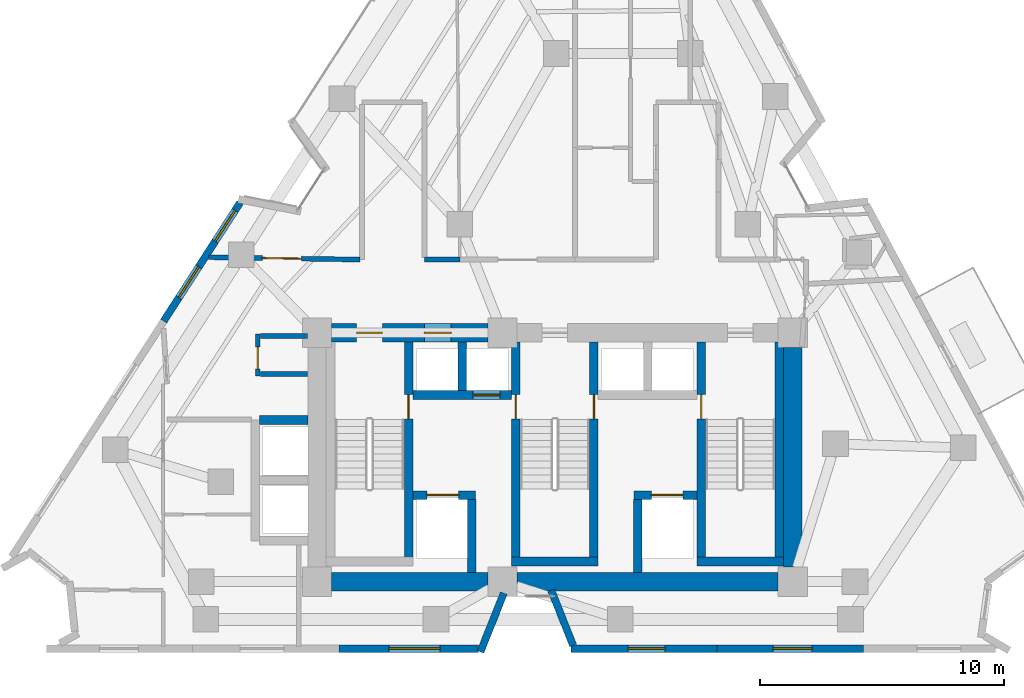
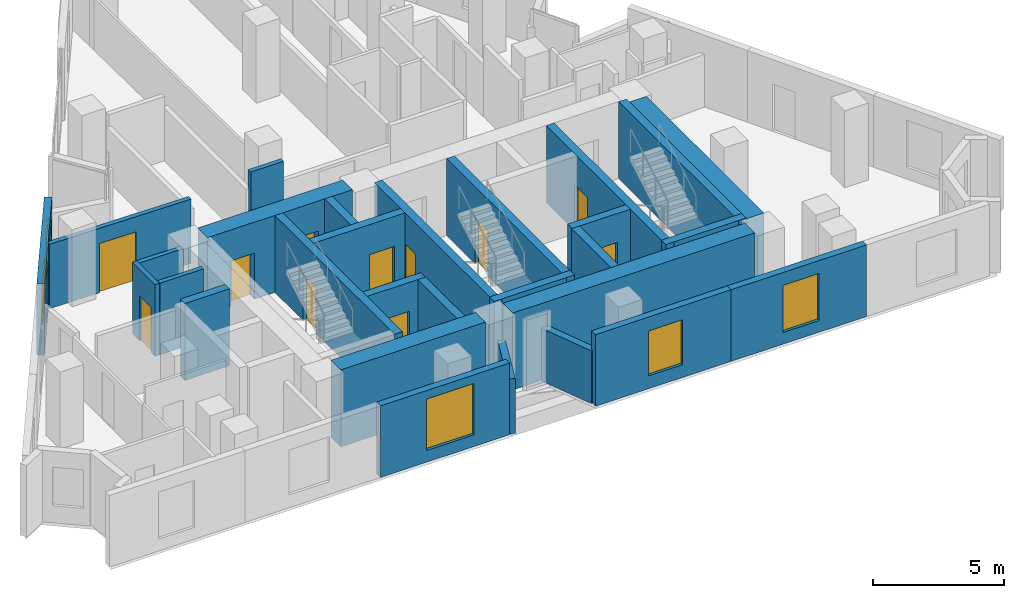
# One storey, part 6 of 12: 29 walls, 11 doors, 5 windows, 16 openings.
"""IFC4 building model written with IfcOpenShell, lengths in metres."""

from ifc_helpers import new_model, si_unit, direction, frame, frame_2d, origin, place, context, subcontext, project, spatial, rectangle, extrude, material, layer, layer_set, type_object, element, fill, save


model = new_model("IFC4")

# Units and contexts
model_context = context("Model", 3, precision=1e-05, world=origin(), true_north=direction((0.0, 1.0)))
body_context = subcontext(model_context, "Body", "Model", "MODEL_VIEW")
ifc_project = project(units=[si_unit("LENGTHUNIT", "METRE"), si_unit("AREAUNIT", "SQUARE_METRE"), si_unit("VOLUMEUNIT", "CUBIC_METRE"), si_unit("PLANEANGLEUNIT", "RADIAN"), si_unit("MASSUNIT", "GRAM", prefix="KILO")], contexts=[model_context])

# Site, building, storey
site_placement = place(None, origin())
site = spatial("IfcSite", under=ifc_project, at=site_placement, CompositionType="ELEMENT")
building_placement = place(site_placement, origin())
building = spatial("IfcBuilding", under=site, at=building_placement, Name="Almagre Mirador Tower", CompositionType="ELEMENT")
storey_placement = place(building_placement, frame((0.0, 0.0, 182.39990234375)))
storey = spatial("IfcBuildingStorey", under=building, at=storey_placement, Name="L47", CompositionType="ELEMENT", Elevation=182.39990234375)

# Wall, opening, window
ifc_material_1 = material(Name="Precast concrete C50/60", Category="concrete")
ifc_layer_1 = layer(ifc_material_1, 0.300048828125)
ifc_layer_set_1 = layer_set([ifc_layer_1], Name="Precast concrete C50/60")
wall_type_1 = type_object("IfcWallType", Name="WAL-EXT-300", PredefinedType="SOLIDWALL", material=ifc_layer_set_1)
wall_1_placement = place(storey_placement, frame((49.94677734375, 1.800048828125, 0.0), z_axis=(0.0, 0.0, 1.0), x_axis=(-1.0, 0.0, 0.0)))
wall_1 = element("IfcWall", 1, at=wall_1_placement, inside=storey, type_object=wall_type_1, Name="L47 expressed almagre precast frame wall 22", PredefinedType="SOLIDWALL", context=body_context, shape_type="SweptSolid", body=[
    extrude(rectangle(XDim=5.993408203125, YDim=0.300048828125, at=frame_2d((2.99658203125, 0.0))), origin(), (0.0, 0.0, 1.0), 3.35009765625),
])
opening_1_placement = place(wall_1_placement, frame((2.10009765625, 0.0, 0.550048828125)))
opening_1 = element("IfcOpeningElement", 2, at=opening_1_placement, cuts=wall_1, Name="Opening WN-06", PredefinedType="OPENING", context=body_context, shape_type="SweptSolid", body=[
    extrude(rectangle(XDim=1.60009765625, YDim=2.199951171875, at=frame_2d((0.800048828125, 1.10009765625))), frame((0.0, 0.159902, 0.0), z_axis=(0.0, -1.0, 0.0), x_axis=(1.0, 0.0, 0.0)), (0.0, 0.0, 1.0), 0.320049),
])
ifc_material_2 = material(Name="Dark solar-control laminated hurricane glass", Category="glass")
window_type_1 = type_object("IfcWindowType", Name="WIN-1600X2200", PartitioningType="DOUBLE_PANEL_VERTICAL", PredefinedType="WINDOW", material=ifc_material_2)
window_1_placement = place(opening_1_placement, origin())
window_1 = element("IfcWindow", 3, at=window_1_placement, inside=storey, type_object=window_type_1, Name="L47 recessed hurricane window L47-RST-B", OverallHeight=2.199951171875, OverallWidth=1.60009765625, PartitioningType="SINGLE_PANEL", PredefinedType="WINDOW", context=body_context, shape_type="SweptSolid", body=[
    extrude(rectangle(XDim=1.60009765625, YDim=2.199951171875, at=frame_2d((0.800048828125, 1.10009765625))), frame((0.0, 0.030029296875, 0.0), z_axis=(0.0, -1.0, 0.0), x_axis=(1.0, 0.0, 0.0)), (0.0, 0.0, 1.0), 0.06005859375),
])
fill(opening_1, window_1)

wall_2_placement = place(storey_placement, frame((43.953369140625, 1.800048828125, 0.0), z_axis=(0.0, 0.0, 1.0), x_axis=(-1.0, 0.0, 0.0)))
wall_2 = element("IfcWall", 4, at=wall_2_placement, inside=storey, type_object=wall_type_1, Name="L47 expressed almagre precast frame wall 23", PredefinedType="SOLIDWALL", context=body_context, shape_type="SweptSolid", body=[
    extrude(rectangle(XDim=5.993408203125, YDim=0.300048828125, at=frame_2d((2.99658203125, 0.0))), origin(), (0.0, 0.0, 1.0), 3.35009765625),
])
opening_2_placement = place(wall_2_placement, frame((2.14990234375, 0.0, 0.60009765625)))
opening_2 = element("IfcOpeningElement", 5, at=opening_2_placement, cuts=wall_2, Name="Opening WN-03", PredefinedType="OPENING", context=body_context, shape_type="SweptSolid", body=[
    extrude(rectangle(XDim=1.5, YDim=2.10009765625, at=frame_2d((0.75, 1.050048828125))), frame((0.0, 0.159902, 0.0), z_axis=(0.0, -1.0, 0.0), x_axis=(1.0, 0.0, 0.0)), (0.0, 0.0, 1.0), 0.320049),
])
ifc_material_3 = material(Name="Dark solar-control laminated hurricane glass", Category="glass")
window_type_2 = type_object("IfcWindowType", Name="WIN-1500X2100", PartitioningType="DOUBLE_PANEL_VERTICAL", PredefinedType="WINDOW", material=ifc_material_3)
window_2_placement = place(opening_2_placement, origin())
window_2 = element("IfcWindow", 6, at=window_2_placement, inside=storey, type_object=window_type_2, Name="L47 recessed hurricane window L47-RST-B", OverallHeight=2.10009765625, OverallWidth=1.5, PartitioningType="SINGLE_PANEL", PredefinedType="WINDOW", context=body_context, shape_type="SweptSolid", body=[
    extrude(rectangle(XDim=1.5, YDim=2.10009765625, at=frame_2d((0.75, 1.050048828125))), frame((0.0, 0.030029296875, 0.0), z_axis=(0.0, -1.0, 0.0), x_axis=(1.0, 0.0, 0.0)), (0.0, 0.0, 1.0), 0.06005859375),
])
fill(opening_2, window_2)

# Walls
wall_3_placement = place(storey_placement, frame((38.048095703125, 1.93017578125, 0.0), z_axis=(0.0, 0.0, 1.0), x_axis=(-0.369476217581, 0.929240186734, 0.0)))
element("IfcWall", 7, at=wall_3_placement, inside=storey, type_object=wall_type_1, Name="L47 expressed almagre precast frame wall 24", PredefinedType="SOLIDWALL", context=body_context, shape_type="SweptSolid", body=[
    extrude(rectangle(XDim=2.441650390625, YDim=0.300048828125, at=frame_2d((1.220703125, 0.0))), origin(), (0.0, 0.0, 1.0), 2.468994140625),
])
wall_4_placement = place(storey_placement, frame((35.206787109375, 4.080078125, 0.0), z_axis=(0.0, 0.0, 1.0), x_axis=(-0.369539870332, -0.929214875169, 0.0)))
element("IfcWall", 8, at=wall_4_placement, inside=storey, type_object=wall_type_1, Name="L47 expressed almagre precast frame wall 25", PredefinedType="SOLIDWALL", context=body_context, shape_type="SweptSolid", body=[
    extrude(rectangle(XDim=2.59375, YDim=0.300048828125, at=frame_2d((1.296875, 0.0))), origin(), (0.0, 0.0, 1.0), 2.5751953125),
])

# Wall, opening, window
wall_5_placement = place(storey_placement, frame((34.159912109375, 1.800048828125, 0.0), z_axis=(0.0, 0.0, 1.0), x_axis=(-1.0, 0.0, 0.0)))
wall_5 = element("IfcWall", 9, at=wall_5_placement, inside=storey, type_object=wall_type_1, Name="L47 expressed almagre precast frame wall 26", PredefinedType="SOLIDWALL", context=body_context, shape_type="SweptSolid", body=[
    extrude(rectangle(XDim=5.713134765625, YDim=0.300048828125, at=frame_2d((2.8564453125, 0.0))), origin(), (0.0, 0.0, 1.0), 3.35009765625),
])
opening_3_placement = place(wall_5_placement, frame((1.570068359375, 0.0, 0.550048828125)))
opening_3 = element("IfcOpeningElement", 10, at=opening_3_placement, cuts=wall_5, Name="Opening WN-05", PredefinedType="OPENING", context=body_context, shape_type="SweptSolid", body=[
    extrude(rectangle(XDim=2.10009765625, YDim=2.39990234375, at=frame_2d((1.050048828125, 1.199951171875))), frame((0.0, 0.159902, 0.0), z_axis=(0.0, -1.0, 0.0), x_axis=(1.0, 0.0, 0.0)), (0.0, 0.0, 1.0), 0.320049),
])
ifc_material_4 = material(Name="Dark solar-control laminated hurricane glass", Category="glass")
window_type_3 = type_object("IfcWindowType", Name="WIN-2100X2400", PartitioningType="DOUBLE_PANEL_VERTICAL", PredefinedType="WINDOW", material=ifc_material_4)
window_3_placement = place(opening_3_placement, origin())
window_3 = element("IfcWindow", 11, at=window_3_placement, inside=storey, type_object=window_type_3, Name="L47 recessed hurricane window L47-RST-B", OverallHeight=2.39990234375, OverallWidth=2.10009765625, PartitioningType="SINGLE_PANEL", PredefinedType="WINDOW", context=body_context, shape_type="SweptSolid", body=[
    extrude(rectangle(XDim=2.10009765625, YDim=2.39990234375, at=frame_2d((1.050048828125, 1.199951171875))), frame((0.0, 0.030029296875, 0.0), z_axis=(0.0, -1.0, 0.0), x_axis=(1.0, 0.0, 0.0)), (0.0, 0.0, 1.0), 0.06005859375),
])
fill(opening_3, window_3)

# Wall, openings, windows
wall_6_placement = place(storey_placement, frame((21.26123046875, 15.228271484375, 0.0), z_axis=(0.0, 0.0, 1.0), x_axis=(0.542022957278, 0.840363679477, 0.0)))
wall_6 = element("IfcWall", 12, at=wall_6_placement, inside=storey, type_object=wall_type_1, Name="L47 expressed almagre precast frame wall 35", PredefinedType="SOLIDWALL", context=body_context, shape_type="SweptSolid", body=[
    extrude(rectangle(XDim=5.77978515625, YDim=0.300048828125, at=frame_2d((2.889892578125, 0.0))), origin(), (0.0, 0.0, 1.0), 3.35009765625),
])
opening_4_placement = place(wall_6_placement, frame((1.14990234375, 0.0, 0.60009765625)))
opening_4 = element("IfcOpeningElement", 13, at=opening_4_placement, cuts=wall_6, Name="Opening WN-03", PredefinedType="OPENING", context=body_context, shape_type="SweptSolid", body=[
    extrude(rectangle(XDim=1.5, YDim=2.10009765625, at=frame_2d((0.75, 1.050048828125))), frame((0.0, 0.159902, 0.0), z_axis=(0.0, -1.0, 0.0), x_axis=(1.0, 0.0, 0.0)), (0.0, 0.0, 1.0), 0.320049),
])
opening_5_placement = place(wall_6_placement, frame((3.89990234375, 0.0, 0.60009765625)))
opening_5 = element("IfcOpeningElement", 14, at=opening_5_placement, cuts=wall_6, Name="Opening WN-03", PredefinedType="OPENING", context=body_context, shape_type="SweptSolid", body=[
    extrude(rectangle(XDim=1.5, YDim=2.10009765625, at=frame_2d((0.75, 1.050048828125))), frame((0.0, 0.159902, 0.0), z_axis=(0.0, -1.0, 0.0), x_axis=(1.0, 0.0, 0.0)), (0.0, 0.0, 1.0), 0.320049),
])
window_4_placement = place(opening_4_placement, origin())
window_4 = element("IfcWindow", 15, at=window_4_placement, inside=storey, type_object=window_type_2, Name="L47 recessed hurricane window L47-RCOR", OverallHeight=2.10009765625, OverallWidth=1.5, PartitioningType="SINGLE_PANEL", PredefinedType="WINDOW", context=body_context, shape_type="SweptSolid", body=[
    extrude(rectangle(XDim=1.5, YDim=2.10009765625, at=frame_2d((0.75, 1.050048828125))), frame((0.0, 0.030029296875, 0.0), z_axis=(0.0, -1.0, 0.0), x_axis=(1.0, 0.0, 0.0)), (0.0, 0.0, 1.0), 0.06005859375),
])
fill(opening_4, window_4)
window_5_placement = place(opening_5_placement, origin())
window_5 = element("IfcWindow", 16, at=window_5_placement, inside=storey, type_object=window_type_2, Name="L47 recessed hurricane window L47-RST-D", OverallHeight=2.10009765625, OverallWidth=1.5, PartitioningType="SINGLE_PANEL", PredefinedType="WINDOW", context=body_context, shape_type="SweptSolid", body=[
    extrude(rectangle(XDim=1.5, YDim=2.10009765625, at=frame_2d((0.75, 1.050048828125))), frame((0.0, 0.030029296875, 0.0), z_axis=(0.0, -1.0, 0.0), x_axis=(1.0, 0.0, 0.0)), (0.0, 0.0, 1.0), 0.06005859375),
])
fill(opening_5, window_5)

# Wall, opening, door
ifc_material_5 = material(Name="Gypsum acoustic stud partition", Category="other")
ifc_layer_2 = layer(ifc_material_5, 0.199951171875)
ifc_layer_set_2 = layer_set([ifc_layer_2], Name="Gypsum acoustic stud partition")
wall_type_2 = type_object("IfcWallType", Name="WAL-PRT-200-EI60", PredefinedType="PARTITIONING", material=ifc_layer_set_2)
wall_7_placement = place(storey_placement, frame((25.1201171875, 12.969970703125, 0.0), z_axis=(0.0, 0.0, 1.0), x_axis=(0.0, 1.0, 0.0)))
wall_7 = element("IfcWall", 17, at=wall_7_placement, inside=storey, type_object=wall_type_2, Name="L47 core ancillary west wall", PredefinedType="PARTITIONING", context=body_context, shape_type="SweptSolid", body=[
    extrude(rectangle(XDim=1.739990234375, YDim=0.199951171875, at=frame_2d((0.8701171875, 0.0))), origin(), (0.0, 0.0, 1.0), 3.35009765625),
])
opening_6_placement = place(wall_7_placement, frame((0.304931640625, 0.0, 0.0)))
opening_6 = element("IfcOpeningElement", 18, at=opening_6_placement, cuts=wall_7, Name="Opening ID-03", PredefinedType="OPENING", context=body_context, shape_type="SweptSolid", body=[
    extrude(rectangle(XDim=0.89990234375, YDim=2.10009765625, at=frame_2d((0.449951171875, 1.050048828125))), frame((0.0, 0.110098, 0.0), z_axis=(0.0, -1.0, 0.0), x_axis=(1.0, 0.0, 0.0)), (0.0, 0.0, 1.0), 0.219951),
])
ifc_material_6 = material(Name="Fire-rated hollow steel", Category="steel")
door_type_1 = type_object("IfcDoorType", Name="DOR-FD60-900X2100", OperationType="NOTDEFINED", PredefinedType="DOOR", material=ifc_material_6)
door_1_placement = place(opening_6_placement, origin())
door_1 = element("IfcDoor", 19, at=door_1_placement, inside=storey, type_object=door_type_1, Name="DR-1485 L47 core ancillary corridor door", OperationType="SINGLE_SWING_LEFT", OverallHeight=2.10009765625, OverallWidth=0.89990234375, PredefinedType="DOOR", context=body_context, shape_type="SweptSolid", body=[
    extrude(rectangle(XDim=0.89990234375, YDim=2.10009765625, at=frame_2d((0.449951171875, 1.050048828125))), frame((0.0, 0.02490234375, 0.0), z_axis=(0.0, -1.0, 0.0), x_axis=(1.0, 0.0, 0.0)), (0.0, 0.0, 1.0), 0.050048828125),
])
fill(opening_6, door_1)

# Walls
for number, where, z_axis, x_axis, name in (
    (20, (25.22509765625, 14.6201171875, 0.0), (0.0, 0.0, 1.0), (1.0, 0.0, 0.0), "L47 core ancillary north wall"),
    (21, (25.22509765625, 13.06005859375, 0.0), (0.0, 0.0, 1.0), (1.0, 0.0, 0.0), "L47 core ancillary south wall"),
):
    element("IfcWall", number, at=place(storey_placement, frame(where, z_axis=z_axis, x_axis=x_axis)), inside=storey, type_object=wall_type_2, Name=name, PredefinedType="PARTITIONING", context=body_context, shape_type="SweptSolid", body=[
        extrude(rectangle(XDim=1.934814453125, YDim=0.199951171875, at=frame_2d((0.96728515625, 0.0))), origin(), (0.0, 0.0, 1.0), 3.35009765625),
    ])
wall_8_placement = place(storey_placement, frame((33.39990234375, 17.75, 0.0), z_axis=(0.0, 0.0, 1.0), x_axis=(-1.0, 0.0, 0.0)))
element("IfcWall", 22, at=wall_8_placement, inside=storey, type_object=wall_type_2, Name="L47 interior partition 005", PredefinedType="PARTITIONING", context=body_context, shape_type="SweptSolid", body=[
    extrude(rectangle(XDim=1.449951171875, YDim=0.199951171875, at=frame_2d((0.72509765625, 0.0))), origin(), (0.0, 0.0, 1.0), 3.35009765625),
])

# Wall, opening, door
wall_9_placement = place(storey_placement, frame((29.31494140625, 17.7509765625, 0.0), z_axis=(0.0, 0.0, 1.0), x_axis=(-0.999878105574, 0.01561326337, 0.0)))
wall_9 = element("IfcWall", 23, at=wall_9_placement, inside=storey, type_object=wall_type_2, Name="L47 interior partition 009", PredefinedType="PARTITIONING", context=body_context, shape_type="SweptSolid", body=[
    extrude(rectangle(XDim=6.207763671875, YDim=0.199951171875, at=frame_2d((3.10400390625, 0.0))), origin(), (0.0, 0.0, 1.0), 3.010009765625),
])
opening_7_placement = place(wall_9_placement, frame((2.405029296875, 0.0, 0.0)))
opening_7 = element("IfcOpeningElement", 24, at=opening_7_placement, cuts=wall_9, Name="Opening ID-05", PredefinedType="OPENING", context=body_context, shape_type="SweptSolid", body=[
    extrude(rectangle(XDim=1.60009765625, YDim=2.300048828125, at=frame_2d((0.800048828125, 1.14990234375))), frame((0.0, 0.110098, 0.0), z_axis=(0.0, -1.0, 0.0), x_axis=(1.0, 0.0, 0.0)), (0.0, 0.0, 1.0), 0.219951),
])
ifc_material_7 = material(Name="Fire-rated acoustic timber", Category="wood")
door_type_2 = type_object("IfcDoorType", Name="DOR-FD60-1600X2300", OperationType="DOUBLE_DOOR_SINGLE_SWING", PredefinedType="DOOR", material=ifc_material_7)
door_2_placement = place(opening_7_placement, origin())
door_2 = element("IfcDoor", 25, at=door_2_placement, inside=storey, type_object=door_type_2, Name="DR-1491 L47 interior door L47-RCOR to L47-RST-D", OperationType="DOUBLE_DOOR_SINGLE_SWING", OverallHeight=2.300048828125, OverallWidth=1.60009765625, PredefinedType="DOOR", context=body_context, shape_type="SweptSolid", body=[
    extrude(rectangle(XDim=1.60009765625, YDim=2.300048828125, at=frame_2d((0.800048828125, 1.14990234375))), frame((0.0, 0.02490234375, 0.0), z_axis=(0.0, -1.0, 0.0), x_axis=(1.0, 0.0, 0.0)), (0.0, 0.0, 1.0), 0.050048828125),
])
fill(opening_7, door_2)

ifc_material_8 = material(Name="Concrete C60/75", Category="concrete")
ifc_layer_3 = layer(ifc_material_8, 0.35009765625)
ifc_layer_set_3 = layer_set([ifc_layer_3], Name="Concrete C60/75")
wall_type_3 = type_object("IfcWallType", Name="WAL-SHF-350", PredefinedType="SOLIDWALL", material=ifc_layer_set_3)
wall_10_placement = place(storey_placement, frame((31.300048828125, 5.199951171875, 0.0), z_axis=(0.0, 0.0, 1.0), x_axis=(0.0, 1.0, 0.0)))
wall_10 = element("IfcWall", 26, at=wall_10_placement, inside=storey, type_object=wall_type_3, Name="L47 shaft wall ST1-E", PredefinedType="SOLIDWALL", context=body_context, shape_type="SweptSolid", body=[
    extrude(rectangle(XDim=9.175048828125, YDim=0.35009765625, at=frame_2d((4.58740234375, 0.0))), origin(), (0.0, 0.0, 1.0), 3.60009765625),
])
opening_8_placement = place(wall_10_placement, frame((6.02001953125, 0.0, 0.0)))
opening_8 = element("IfcOpeningElement", 27, at=opening_8_placement, cuts=wall_10, Name="Opening FD-01", PredefinedType="OPENING", context=body_context, shape_type="SweptSolid", body=[
    extrude(rectangle(XDim=1.0, YDim=2.14990234375, at=frame_2d((0.5, 1.074951171875))), frame((0.0, 0.185049, 0.0), z_axis=(0.0, -1.0, 0.0), x_axis=(1.0, 0.0, 0.0)), (0.0, 0.0, 1.0), 0.370098),
])
ifc_material_9 = material(Name="Fire-rated hollow steel", Category="steel")
door_type_3 = type_object("IfcDoorType", Name="DOR-FFL-1000X2150", OperationType="NOTDEFINED", PredefinedType="DOOR", material=ifc_material_9)
door_3_placement = place(opening_8_placement, origin())
door_3 = element("IfcDoor", 28, at=door_3_placement, inside=storey, type_object=door_type_3, Name="DR-1486 L47 FFL1-ST1 smokeproof door", OperationType="SINGLE_SWING_LEFT", OverallHeight=2.14990234375, OverallWidth=1.0, PredefinedType="DOOR", context=body_context, shape_type="SweptSolid", body=[
    extrude(rectangle(XDim=1.0, YDim=2.14990234375, at=frame_2d((0.5, 1.074951171875))), frame((0.0, 0.02490234375, 0.0), z_axis=(0.0, -1.0, 0.0), x_axis=(1.0, 0.0, 0.0)), (0.0, 0.0, 1.0), 0.050048828125),
])
fill(opening_8, door_3)

wall_11_placement = place(storey_placement, frame((35.699951171875, 5.199951171875, 0.0), z_axis=(0.0, 0.0, 1.0), x_axis=(0.0, 1.0, 0.0)))
wall_11 = element("IfcWall", 29, at=wall_11_placement, inside=storey, type_object=wall_type_3, Name="L47 shaft wall ST2-W", PredefinedType="SOLIDWALL", context=body_context, shape_type="SweptSolid", body=[
    extrude(rectangle(XDim=9.175048828125, YDim=0.35009765625, at=frame_2d((4.58740234375, 0.0))), origin(), (0.0, 0.0, 1.0), 3.60009765625),
])
opening_9_placement = place(wall_11_placement, frame((6.02001953125, 0.0, 0.0)))
opening_9 = element("IfcOpeningElement", 30, at=opening_9_placement, cuts=wall_11, Name="Opening FD-01", PredefinedType="OPENING", context=body_context, shape_type="SweptSolid", body=[
    extrude(rectangle(XDim=1.0, YDim=2.14990234375, at=frame_2d((0.5, 1.074951171875))), frame((0.0, 0.185049, 0.0), z_axis=(0.0, -1.0, 0.0), x_axis=(1.0, 0.0, 0.0)), (0.0, 0.0, 1.0), 0.370098),
])
door_4_placement = place(opening_9_placement, origin())
door_4 = element("IfcDoor", 31, at=door_4_placement, inside=storey, type_object=door_type_3, Name="DR-1487 L47 FFL1-ST2 smokeproof door", OperationType="SINGLE_SWING_RIGHT", OverallHeight=2.14990234375, OverallWidth=1.0, PredefinedType="DOOR", context=body_context, shape_type="SweptSolid", body=[
    extrude(rectangle(XDim=1.0, YDim=2.14990234375, at=frame_2d((0.5, 1.074951171875))), frame((0.0, 0.02490234375, 0.0), z_axis=(0.0, -1.0, 0.0), x_axis=(1.0, 0.0, 0.0)), (0.0, 0.0, 1.0), 0.050048828125),
])
fill(opening_9, door_4)

wall_12_placement = place(storey_placement, frame((38.89990234375, 5.199951171875, 0.0), z_axis=(0.0, 0.0, 1.0), x_axis=(0.0, 1.0, 0.0)))
wall_12 = element("IfcWall", 32, at=wall_12_placement, inside=storey, type_object=wall_type_3, Name="L47 shaft wall ST2-E", PredefinedType="SOLIDWALL", context=body_context, shape_type="SweptSolid", body=[
    extrude(rectangle(XDim=9.175048828125, YDim=0.35009765625, at=frame_2d((4.58740234375, 0.0))), origin(), (0.0, 0.0, 1.0), 3.60009765625),
])
opening_10_placement = place(wall_12_placement, frame((6.02001953125, 0.0, 0.0)))
opening_10 = element("IfcOpeningElement", 33, at=opening_10_placement, cuts=wall_12, Name="Opening FD-01", PredefinedType="OPENING", context=body_context, shape_type="SweptSolid", body=[
    extrude(rectangle(XDim=1.0, YDim=2.14990234375, at=frame_2d((0.5, 1.074951171875))), frame((0.0, 0.185049, 0.0), z_axis=(0.0, -1.0, 0.0), x_axis=(1.0, 0.0, 0.0)), (0.0, 0.0, 1.0), 0.370098),
])
door_5_placement = place(opening_10_placement, origin())
door_5 = element("IfcDoor", 34, at=door_5_placement, inside=storey, type_object=door_type_3, Name="DR-1488 L47 FFL2-ST2 smokeproof door", OperationType="SINGLE_SWING_LEFT", OverallHeight=2.14990234375, OverallWidth=1.0, PredefinedType="DOOR", context=body_context, shape_type="SweptSolid", body=[
    extrude(rectangle(XDim=1.0, YDim=2.14990234375, at=frame_2d((0.5, 1.074951171875))), frame((0.0, 0.02490234375, 0.0), z_axis=(0.0, -1.0, 0.0), x_axis=(1.0, 0.0, 0.0)), (0.0, 0.0, 1.0), 0.050048828125),
])
fill(opening_10, door_5)

# Wall
wall_13_placement = place(storey_placement, frame((35.52490234375, 5.375, 0.0), z_axis=(0.0, 0.0, 1.0), x_axis=(1.0, 0.0, 0.0)))
element("IfcWall", 35, at=wall_13_placement, inside=storey, type_object=wall_type_3, Name="L47 shaft wall ST2-S", PredefinedType="SOLIDWALL", context=body_context, shape_type="SweptSolid", body=[
    extrude(rectangle(XDim=3.550048828125, YDim=0.35009765625, at=frame_2d((1.77490234375, 0.0))), origin(), (0.0, 0.0, 1.0), 3.60009765625),
])

# Wall, opening, door
wall_14_placement = place(storey_placement, frame((43.300048828125, 5.199951171875, 0.0), z_axis=(0.0, 0.0, 1.0), x_axis=(0.0, 1.0, 0.0)))
wall_14 = element("IfcWall", 36, at=wall_14_placement, inside=storey, type_object=wall_type_3, Name="L47 shaft wall ST3-W", PredefinedType="SOLIDWALL", context=body_context, shape_type="SweptSolid", body=[
    extrude(rectangle(XDim=9.175048828125, YDim=0.35009765625, at=frame_2d((4.58740234375, 0.0))), origin(), (0.0, 0.0, 1.0), 3.60009765625),
])
opening_11_placement = place(wall_14_placement, frame((6.02001953125, 0.0, 0.0)))
opening_11 = element("IfcOpeningElement", 37, at=opening_11_placement, cuts=wall_14, Name="Opening FD-01", PredefinedType="OPENING", context=body_context, shape_type="SweptSolid", body=[
    extrude(rectangle(XDim=1.0, YDim=2.14990234375, at=frame_2d((0.5, 1.074951171875))), frame((0.0, 0.185049, 0.0), z_axis=(0.0, -1.0, 0.0), x_axis=(1.0, 0.0, 0.0)), (0.0, 0.0, 1.0), 0.370098),
])
door_6_placement = place(opening_11_placement, origin())
door_6 = element("IfcDoor", 38, at=door_6_placement, inside=storey, type_object=door_type_3, Name="DR-1489 L47 FFL2-ST3 smokeproof door", OperationType="SINGLE_SWING_RIGHT", OverallHeight=2.14990234375, OverallWidth=1.0, PredefinedType="DOOR", context=body_context, shape_type="SweptSolid", body=[
    extrude(rectangle(XDim=1.0, YDim=2.14990234375, at=frame_2d((0.5, 1.074951171875))), frame((0.0, 0.02490234375, 0.0), z_axis=(0.0, -1.0, 0.0), x_axis=(1.0, 0.0, 0.0)), (0.0, 0.0, 1.0), 0.050048828125),
])
fill(opening_11, door_6)

# Walls
wall_15_placement = place(storey_placement, frame((46.5, 5.199951171875, 0.0), z_axis=(0.0, 0.0, 1.0), x_axis=(0.0, 1.0, 0.0)))
element("IfcWall", 39, at=wall_15_placement, inside=storey, type_object=wall_type_3, Name="L47 shaft wall ST3-E", PredefinedType="SOLIDWALL", context=body_context, shape_type="SweptSolid", body=[
    extrude(rectangle(XDim=9.175048828125, YDim=0.35009765625, at=frame_2d((4.58740234375, 0.0))), origin(), (0.0, 0.0, 1.0), 3.60009765625),
])
wall_16_placement = place(storey_placement, frame((43.125, 5.375, 0.0), z_axis=(0.0, 0.0, 1.0), x_axis=(1.0, 0.0, 0.0)))
element("IfcWall", 40, at=wall_16_placement, inside=storey, type_object=wall_type_3, Name="L47 shaft wall ST3-S", PredefinedType="SOLIDWALL", context=body_context, shape_type="SweptSolid", body=[
    extrude(rectangle(XDim=3.550048828125, YDim=0.35009765625, at=frame_2d((1.77490234375, 0.0))), origin(), (0.0, 0.0, 1.0), 3.60009765625),
])

# Wall, opening, door
wall_17_placement = place(storey_placement, frame((31.47509765625, 8.10009765625, 0.0), z_axis=(0.0, 0.0, 1.0), x_axis=(1.0, 0.0, 0.0)))
wall_17 = element("IfcWall", 41, at=wall_17_placement, inside=storey, type_object=wall_type_3, Name="L47 shaft wall FSAE1-N", PredefinedType="SOLIDWALL", context=body_context, shape_type="SweptSolid", body=[
    extrude(rectangle(XDim=2.574951171875, YDim=0.35009765625, at=frame_2d((1.28759765625, 0.0))), origin(), (0.0, 0.0, 1.0), 3.60009765625),
])
opening_12_placement = place(wall_17_placement, frame((0.574951171875, 0.0, 0.0)))
opening_12 = element("IfcOpeningElement", 42, at=opening_12_placement, cuts=wall_17, Name="Opening LD-03", PredefinedType="OPENING", context=body_context, shape_type="SweptSolid", body=[
    extrude(rectangle(XDim=1.300048828125, YDim=2.25, at=frame_2d((0.64990234375, 1.125))), frame((0.0, 0.185049, 0.0), z_axis=(0.0, -1.0, 0.0), x_axis=(1.0, 0.0, 0.0)), (0.0, 0.0, 1.0), 0.370098),
])
ifc_material_10 = material(Name="Hollow stainless steel", Category="steel")
door_type_4 = type_object("IfcDoorType", Name="DOR-LD-1300X2250", OperationType="DOUBLE_DOOR_SLIDING", PredefinedType="DOOR", material=ifc_material_10)
door_7_placement = place(opening_12_placement, origin())
door_7 = element("IfcDoor", 43, at=door_7_placement, inside=storey, type_object=door_type_4, Name="DR-1503 L47 FSAE-1 lift landing door", OperationType="DOUBLE_DOOR_SLIDING", OverallHeight=2.25, OverallWidth=1.300048828125, PredefinedType="DOOR", context=body_context, shape_type="SweptSolid", body=[
    extrude(rectangle(XDim=1.300048828125, YDim=2.25, at=frame_2d((0.64990234375, 1.125))), frame((0.0, 0.02490234375, 0.0), z_axis=(0.0, -1.0, 0.0), x_axis=(1.0, 0.0, 0.0)), (0.0, 0.0, 1.0), 0.050048828125),
])
fill(opening_12, door_7)

wall_18_placement = place(storey_placement, frame((40.550048828125, 8.10009765625, 0.0), z_axis=(0.0, 0.0, 1.0), x_axis=(1.0, 0.0, 0.0)))
wall_18 = element("IfcWall", 44, at=wall_18_placement, inside=storey, type_object=wall_type_3, Name="L47 shaft wall FSAE2-N", PredefinedType="SOLIDWALL", context=body_context, shape_type="SweptSolid", body=[
    extrude(rectangle(XDim=2.574951171875, YDim=0.35009765625, at=frame_2d((1.28759765625, 0.0))), origin(), (0.0, 0.0, 1.0), 3.60009765625),
])
opening_13_placement = place(wall_18_placement, frame((0.699951171875, 0.0, 0.0)))
opening_13 = element("IfcOpeningElement", 45, at=opening_13_placement, cuts=wall_18, Name="Opening LD-03", PredefinedType="OPENING", context=body_context, shape_type="SweptSolid", body=[
    extrude(rectangle(XDim=1.300048828125, YDim=2.25, at=frame_2d((0.64990234375, 1.125))), frame((0.0, 0.185049, 0.0), z_axis=(0.0, -1.0, 0.0), x_axis=(1.0, 0.0, 0.0)), (0.0, 0.0, 1.0), 0.370098),
])
door_8_placement = place(opening_13_placement, origin())
door_8 = element("IfcDoor", 46, at=door_8_placement, inside=storey, type_object=door_type_4, Name="DR-1504 L47 FSAE-2 lift landing door", OperationType="DOUBLE_DOOR_SLIDING", OverallHeight=2.25, OverallWidth=1.300048828125, PredefinedType="DOOR", context=body_context, shape_type="SweptSolid", body=[
    extrude(rectangle(XDim=1.300048828125, YDim=2.25, at=frame_2d((0.64990234375, 1.125))), frame((0.0, 0.02490234375, 0.0), z_axis=(0.0, -1.0, 0.0), x_axis=(1.0, 0.0, 0.0)), (0.0, 0.0, 1.0), 0.050048828125),
])
fill(opening_13, door_8)

# Walls
for number, where, z_axis, x_axis, name in (
    (47, (33.89990234375, 4.925048828125, 0.0), (0.0, 0.0, 1.0), (0.0, 1.0, 0.0), "L47 shaft wall FSAE1-E"),
    (48, (40.699951171875, 4.925048828125, 0.0), (0.0, 0.0, 1.0), (0.0, 1.0, 0.0), "L47 shaft wall FSAE2-W"),
):
    element("IfcWall", number, at=place(storey_placement, frame(where, z_axis=z_axis, x_axis=x_axis)), inside=storey, type_object=wall_type_3, Name=name, PredefinedType="SOLIDWALL", context=body_context, shape_type="SweptSolid", body=[
        extrude(rectangle(XDim=3.0, YDim=0.35009765625, at=frame_2d((1.5, 0.0))), origin(), (0.0, 0.0, 1.0), 3.60009765625),
    ])

# Wall, opening, door
wall_19_placement = place(storey_placement, frame((31.47509765625, 12.199951171875, 0.0), z_axis=(0.0, 0.0, 1.0), x_axis=(1.0, 0.0, 0.0)))
wall_19 = element("IfcWall", 49, at=wall_19_placement, inside=storey, type_object=wall_type_3, Name="L47 shaft wall PLM-S", PredefinedType="SOLIDWALL", context=body_context, shape_type="SweptSolid", body=[
    extrude(rectangle(XDim=4.0498046875, YDim=0.35009765625, at=frame_2d((2.02490234375, 0.0))), origin(), (0.0, 0.0, 1.0), 3.60009765625),
])
opening_14_placement = place(wall_19_placement, frame((2.47509765625, 0.0, 0.0)))
opening_14 = element("IfcOpeningElement", 50, at=opening_14_placement, cuts=wall_19, Name="Opening LD-01", PredefinedType="OPENING", context=body_context, shape_type="SweptSolid", body=[
    extrude(rectangle(XDim=1.10009765625, YDim=2.199951171875, at=frame_2d((0.550048828125, 1.10009765625))), frame((0.0, 0.185049, 0.0), z_axis=(0.0, -1.0, 0.0), x_axis=(1.0, 0.0, 0.0)), (0.0, 0.0, 1.0), 0.370098),
])
ifc_material_11 = material(Name="Hollow stainless steel", Category="steel")
door_type_5 = type_object("IfcDoorType", Name="DOR-LD-1100X2200", OperationType="DOUBLE_DOOR_SLIDING", PredefinedType="DOOR", material=ifc_material_11)
door_9_placement = place(opening_14_placement, origin())
door_9 = element("IfcDoor", 51, at=door_9_placement, inside=storey, type_object=door_type_5, Name="DR-1506 L47 PL-M2 lift landing door", OperationType="DOUBLE_DOOR_SLIDING", OverallHeight=2.199951171875, OverallWidth=1.10009765625, PredefinedType="DOOR", context=body_context, shape_type="SweptSolid", body=[
    extrude(rectangle(XDim=1.10009765625, YDim=2.199951171875, at=frame_2d((0.550048828125, 1.10009765625))), frame((0.0, 0.02490234375, 0.0), z_axis=(0.0, -1.0, 0.0), x_axis=(1.0, 0.0, 0.0)), (0.0, 0.0, 1.0), 0.050048828125),
])
fill(opening_14, door_9)

# Walls
wall_20_placement = place(storey_placement, frame((33.5, 12.375, 0.0), z_axis=(0.0, 0.0, 1.0), x_axis=(0.0, 1.0, 0.0)))
element("IfcWall", 52, at=wall_20_placement, inside=storey, type_object=wall_type_3, Name="L47 shaft wall PLM-M", PredefinedType="SOLIDWALL", context=body_context, shape_type="SweptSolid", body=[
    extrude(rectangle(XDim=2.0, YDim=0.35009765625, at=frame_2d((1.0, 0.0))), origin(), (0.0, 0.0, 1.0), 3.60009765625),
])
wall_21_placement = place(storey_placement, frame((25.199951171875, 11.175048828125, 0.0), z_axis=(0.0, 0.0, 1.0), x_axis=(1.0, 0.0, 0.0)))
element("IfcWall", 53, at=wall_21_placement, inside=storey, type_object=wall_type_3, Name="L47 shaft wall OL-N", PredefinedType="SOLIDWALL", context=body_context, shape_type="SweptSolid", body=[
    extrude(rectangle(XDim=1.97509765625, YDim=0.35009765625, at=frame_2d((0.987548828125, 0.0))), origin(), (0.0, 0.0, 1.0), 3.60009765625),
])
ifc_material_12 = material(Name="Concrete C60/75", Category="concrete")
ifc_layer_4 = layer(ifc_material_12, 0.75)
ifc_layer_set_4 = layer_set([ifc_layer_4], Name="Concrete C60/75")
wall_type_4 = type_object("IfcWallType", Name="WAL-SHR-750", PredefinedType="SHEAR", material=ifc_layer_set_4)
wall_22_placement = place(storey_placement, frame((28.14990234375, 4.550048828125, 0.0), z_axis=(0.0, 0.0, 1.0), x_axis=(1.0, 0.0, 0.0)))
element("IfcWall", 54, at=wall_22_placement, inside=storey, type_object=wall_type_4, Name="L47 core shear wall S1", PredefinedType="SHEAR", context=body_context, shape_type="SweptSolid", body=[
    extrude(rectangle(XDim=6.400146484375, YDim=0.75, at=frame_2d((3.2001953125, 0.0))), origin(), (0.0, 0.0, 1.0), 3.60009765625),
])
wall_23_placement = place(storey_placement, frame((35.75, 4.550048828125, 0.0), z_axis=(0.0, 0.0, 1.0), x_axis=(1.0, 0.0, 0.0)))
element("IfcWall", 55, at=wall_23_placement, inside=storey, type_object=wall_type_4, Name="L47 core shear wall S2", PredefinedType="SHEAR", context=body_context, shape_type="SweptSolid", body=[
    extrude(rectangle(XDim=10.699951171875, YDim=0.75, at=frame_2d((5.35009765625, 0.0))), origin(), (0.0, 0.0, 1.0), 3.60009765625),
])

# Wall, openings, doors
wall_24_placement = place(storey_placement, frame((28.14990234375, 14.75, 0.0), z_axis=(0.0, 0.0, 1.0), x_axis=(1.0, 0.0, 0.0)))
wall_24 = element("IfcWall", 56, at=wall_24_placement, inside=storey, type_object=wall_type_4, Name="L47 core shear wall N1", PredefinedType="SHEAR", context=body_context, shape_type="SweptSolid", body=[
    extrude(rectangle(XDim=6.400146484375, YDim=0.75, at=frame_2d((3.2001953125, 0.0))), origin(), (0.0, 0.0, 1.0), 3.60009765625),
])
opening_15_placement = place(wall_24_placement, frame((1.02490234375, 0.0, 0.0)))
opening_15 = element("IfcOpeningElement", 57, at=opening_15_placement, cuts=wall_24, Name="Opening SD-01", PredefinedType="OPENING", context=body_context, shape_type="SweptSolid", body=[
    extrude(rectangle(XDim=1.050048828125, YDim=2.14990234375, at=frame_2d((0.52490234375, 1.074951171875))), frame((0.0, 0.385, 0.0), z_axis=(0.0, -1.0, 0.0), x_axis=(1.0, 0.0, 0.0)), (0.0, 0.0, 1.0), 0.77),
])
opening_16_placement = place(wall_24_placement, frame((3.800048828125, 0.0, 0.0)))
opening_16 = element("IfcOpeningElement", 58, at=opening_16_placement, cuts=wall_24, Name="Opening LD-01", PredefinedType="OPENING", context=body_context, shape_type="SweptSolid", body=[
    extrude(rectangle(XDim=1.10009765625, YDim=2.199951171875, at=frame_2d((0.550048828125, 1.10009765625))), frame((0.0, 0.385, 0.0), z_axis=(0.0, -1.0, 0.0), x_axis=(1.0, 0.0, 0.0)), (0.0, 0.0, 1.0), 0.77),
])
door_10_placement = place(opening_16_placement, origin())
door_10 = element("IfcDoor", 59, at=door_10_placement, inside=storey, type_object=door_type_5, Name="DR-1505 L47 PL-M1 lift landing door", OperationType="DOUBLE_DOOR_SLIDING", OverallHeight=2.199951171875, OverallWidth=1.10009765625, PredefinedType="DOOR", context=body_context, shape_type="SweptSolid", body=[
    extrude(rectangle(XDim=1.10009765625, YDim=2.199951171875, at=frame_2d((0.550048828125, 1.10009765625))), frame((0.0, 0.02490234375, 0.0), z_axis=(0.0, -1.0, 0.0), x_axis=(1.0, 0.0, 0.0)), (0.0, 0.0, 1.0), 0.050048828125),
])
fill(opening_16, door_10)
ifc_material_13 = material(Name="Fire-rated hollow steel", Category="steel")
door_type_6 = type_object("IfcDoorType", Name="DOR-ST-1050X2150", OperationType="NOTDEFINED", PredefinedType="DOOR", material=ifc_material_13)
door_11_placement = place(opening_15_placement, origin())
door_11 = element("IfcDoor", 60, at=door_11_placement, inside=storey, type_object=door_type_6, Name="DR-1507 L47 protected exit stair ST-1 door", OperationType="SINGLE_SWING_RIGHT", OverallHeight=2.14990234375, OverallWidth=1.050048828125, PredefinedType="DOOR", context=body_context, shape_type="SweptSolid", body=[
    extrude(rectangle(XDim=1.050048828125, YDim=2.14990234375, at=frame_2d((0.52490234375, 1.074951171875))), frame((0.0, 0.02490234375, 0.0), z_axis=(0.0, -1.0, 0.0), x_axis=(1.0, 0.0, 0.0)), (0.0, 0.0, 1.0), 0.050048828125),
])
fill(opening_15, door_11)

# Wall
wall_25_placement = place(storey_placement, frame((47.050048828125, 5.14990234375, 0.0), z_axis=(0.0, 0.0, 1.0), x_axis=(0.0, 1.0, 0.0)))
element("IfcWall", 61, at=wall_25_placement, inside=storey, type_object=wall_type_4, Name="L47 core shear wall E1", PredefinedType="SHEAR", context=body_context, shape_type="SweptSolid", body=[
    extrude(rectangle(XDim=9.0, YDim=0.75, at=frame_2d((4.5, 0.0))), origin(), (0.0, 0.0, 1.0), 3.60009765625),
])

save(model, "model.ifc")
